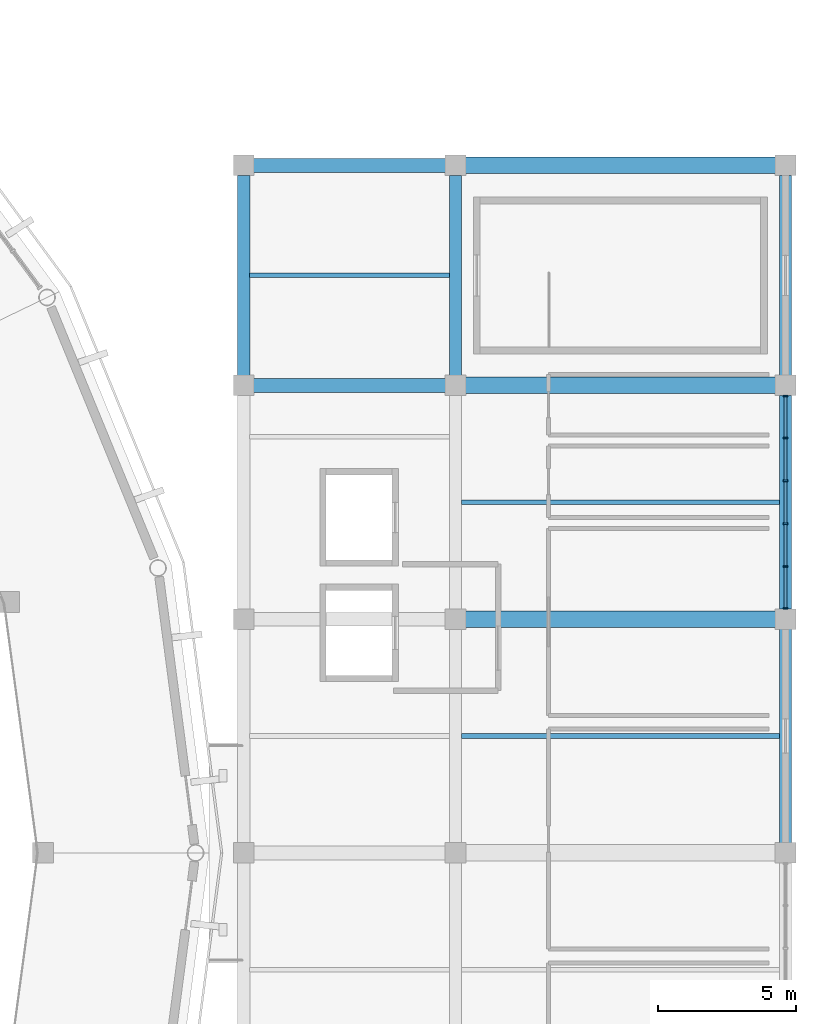
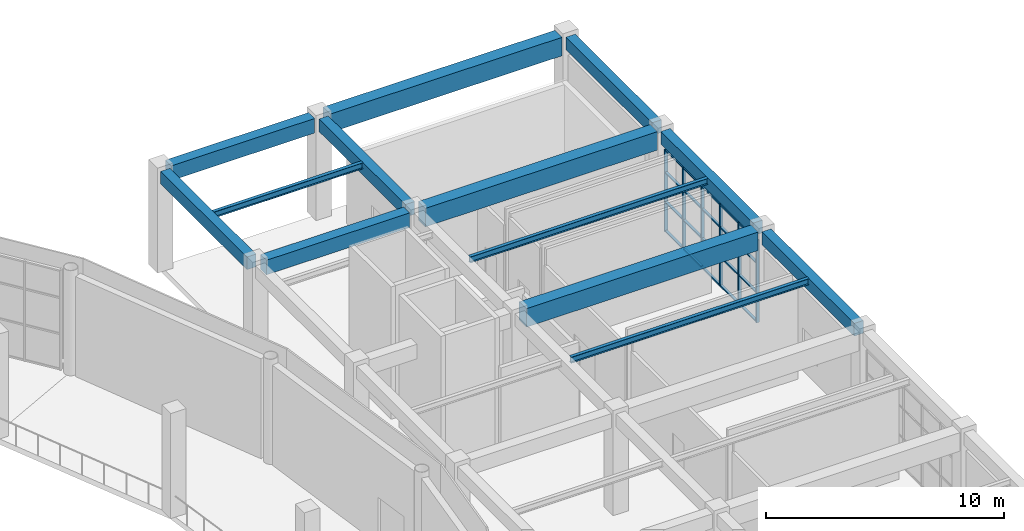
# One storey, part 23 of 40: 26 members, 13 beams, 1 element without a shape of its own.
"""IFC4 building model written with IfcOpenShell, lengths in metres."""

from ifc_helpers import new_model, si_unit, direction, frame, origin, origin_2d, place, context, subcontext, project, spatial, rectangle, i_section, extrude, material, material_profile, profile_set, type_object, element, aggregate, save


model = new_model("IFC4")

# Units and contexts
model_context = context("Model", 3, precision=1e-05, world=origin(), true_north=direction((0.0, 1.0)))
body_context = subcontext(model_context, "Body", "Model", "MODEL_VIEW")
ifc_project = project(units=[si_unit("LENGTHUNIT", "METRE"), si_unit("AREAUNIT", "SQUARE_METRE"), si_unit("VOLUMEUNIT", "CUBIC_METRE"), si_unit("PLANEANGLEUNIT", "RADIAN"), si_unit("MASSUNIT", "GRAM", prefix="KILO")], contexts=[model_context])

# Site, building, storey
site_placement = place(None, origin())
site = spatial("IfcSite", under=ifc_project, at=site_placement, CompositionType="ELEMENT")
building_placement = place(site_placement, origin())
building = spatial("IfcBuilding", under=site, at=building_placement, Name="Cuetzalor Civic Arena", CompositionType="ELEMENT")
storey_placement = place(building_placement, frame((0.0, 0.0, 26.39990234375)))
storey = spatial("IfcBuildingStorey", under=building, at=storey_placement, Name="L05", CompositionType="ELEMENT", Elevation=26.39990234375)

# Beams
ifc_material_1 = material(Name="Concrete C40/50", Category="concrete")
ifc_material_profile_1 = material_profile(ifc_material_1, rectangle(XDim=0.5, YDim=0.75, at=origin_2d()), Name="RC 500x750")
ifc_profile_set_1 = profile_set([ifc_material_profile_1], Name="Concrete C40/50")
beam_type_1 = type_object("IfcBeamType", Name="ConcreteFrameBeam_500x750", PredefinedType="BEAM", material=ifc_profile_set_1)
for number, where, z_axis, x_axis, name in (
    (1, (56.6650390625, 17.0, 4.80517578125), (1.0, 0.0, 0.0), (0.0, 1.0, 0.0), "Frame Girder V4E-L05-X1256"),
    (2, (56.6650390625, 25.0, 4.80517578125), (1.0, 0.0, 0.0), (0.0, 1.0, 0.0), "Frame Girder V4E-L05-X1258"),
):
    element("IfcBeam", number, at=place(storey_placement, frame(where, z_axis=z_axis, x_axis=x_axis)), inside=storey, type_object=beam_type_1, Name=name, PredefinedType="BEAM", context=body_context, shape_type="SweptSolid", body=[
        extrude(rectangle(XDim=0.5, YDim=0.75, at=origin_2d()), origin(), (0.0, 0.0, 1.0), 6.969970703125),
    ])
ifc_material_2 = material(Name="Concrete C40/50", Category="concrete")
ifc_material_profile_2 = material_profile(ifc_material_2, rectangle(XDim=0.60009765625, YDim=0.949951171875, at=origin_2d()), Name="RC 600x950")
ifc_profile_set_2 = profile_set([ifc_material_profile_2], Name="Concrete C40/50")
beam_type_2 = type_object("IfcBeamType", Name="ConcreteFrameBeam_600x950", PredefinedType="BEAM", material=ifc_profile_set_2)
for number, where, z_axis, x_axis, name in (
    (3, (64.364990234375, 8.5, 4.705078125), (1.0, 0.0, 0.0), (0.0, 1.0, 0.0), "Frame Girder V4E-L05-X1255"),
    (4, (64.364990234375, 17.0, 4.705078125), (1.0, 0.0, 0.0), (0.0, 1.0, 0.0), "Frame Girder V4E-L05-X1257"),
    (5, (64.364990234375, 25.0, 4.705078125), (1.0, 0.0, 0.0), (0.0, 1.0, 0.0), "Frame Girder V4E-L05-X1259"),
):
    element("IfcBeam", number, at=place(storey_placement, frame(where, z_axis=z_axis, x_axis=x_axis)), inside=storey, type_object=beam_type_2, Name=name, PredefinedType="BEAM", context=body_context, shape_type="SweptSolid", body=[
        extrude(rectangle(XDim=0.60009765625, YDim=0.949951171875, at=origin_2d()), origin(), (0.0, 0.0, 1.0), 11.27001953125),
    ])
ifc_material_3 = material(Name="Concrete C40/50", Category="concrete")
ifc_material_profile_3 = material_profile(ifc_material_3, rectangle(XDim=0.449951171875, YDim=0.64990234375, at=origin_2d()), Name="RC 450x650")
ifc_profile_set_3 = profile_set([ifc_material_profile_3], Name="Concrete C40/50")
beam_type_3 = type_object("IfcBeamType", Name="ConcreteTieBeam_450x650", PredefinedType="BEAM", material=ifc_profile_set_3)
for number, where, z_axis, x_axis, name in (
    (6, (56.300048828125, 17.364990234375, 4.85498046875), (0.0, 1.0, 0.0), (-1.0, 0.0, 0.0), "Frame Girder V4E-L05-Y1266"),
    (7, (64.0, 17.364990234375, 4.85498046875), (0.0, 1.0, 0.0), (-1.0, 0.0, 0.0), "Frame Girder V4E-L05-Y1273"),
):
    element("IfcBeam", number, at=place(storey_placement, frame(where, z_axis=z_axis, x_axis=x_axis)), inside=storey, type_object=beam_type_3, Name=name, PredefinedType="BEAM", context=body_context, shape_type="SweptSolid", body=[
        extrude(rectangle(XDim=0.449951171875, YDim=0.64990234375, at=origin_2d()), origin(), (0.0, 0.0, 1.0), 7.27001953125),
    ])
for number, where, z_axis, x_axis, name in (
    (8, (76.0, 0.364990234375, 4.85498046875), (0.0, 1.0, 0.0), (-1.0, 0.0, 0.0), "Frame Girder V4E-L05-Y1278"),
    (9, (76.0, 8.864990234375, 4.85498046875), (0.0, 1.0, 0.0), (-1.0, 0.0, 0.0), "Frame Girder V4E-L05-Y1279"),
):
    element("IfcBeam", number, at=place(storey_placement, frame(where, z_axis=z_axis, x_axis=x_axis)), inside=storey, type_object=beam_type_3, Name=name, PredefinedType="BEAM", context=body_context, shape_type="SweptSolid", body=[
        extrude(rectangle(XDim=0.449951171875, YDim=0.64990234375, at=origin_2d()), origin(), (0.0, 0.0, 1.0), 7.77001953125),
    ])
beam_1_placement = place(storey_placement, frame((76.0, 17.364990234375, 4.85498046875), z_axis=(0.0, 1.0, 0.0), x_axis=(-1.0, 0.0, 0.0)))
element("IfcBeam", 10, at=beam_1_placement, inside=storey, type_object=beam_type_3, Name="Frame Girder V4E-L05-Y1280", PredefinedType="BEAM", context=body_context, shape_type="SweptSolid", body=[
    extrude(rectangle(XDim=0.449951171875, YDim=0.64990234375, at=origin_2d()), origin(), (0.0, 0.0, 1.0), 7.27001953125),
])

# Curtain wall, members
ifc_material_4 = material(Name="Anodised dark bronze aluminium and low-E solar glass", Category="aluminium")
curtain_wall_type = type_object("IfcCurtainWallType", Name="UnitisedCW_7800x4200", PredefinedType="USERDEFINED", material=ifc_material_4)
curtain_wall_placement = place(storey_placement, origin())
curtain_wall = element("IfcCurtainWall", 11, at=curtain_wall_placement, inside=storey, type_object=curtain_wall_type, Name="V4E Media Broadcast Curtain Wall L05-156", ObjectType="UNITISED CURTAIN WALL", PredefinedType="USERDEFINED")
ifc_material_5 = material(Name="Anodised dark bronze aluminium", Category="aluminium")
ifc_material_profile_4 = material_profile(ifc_material_5, rectangle(XDim=0.06494140625, YDim=0.14990234375, at=origin_2d()), Name="ALU MULLION 65x150")
ifc_profile_set_4 = profile_set([ifc_material_profile_4], Name="Anodised dark bronze aluminium")
member_type_1 = type_object("IfcMemberType", Name="CurtainWallMullion_60x150", PredefinedType="MULLION", material=ifc_profile_set_4)
member_1_placement = place(storey_placement, frame((76.0, 16.610595703125, 0.0), z_axis=(0.0, 0.0, 1.0), x_axis=(0.0, -1.0, 0.0)))
member_1 = element("IfcMember", 12, at=member_1_placement, type_object=member_type_1, Name="CW-50 mullion 1", PredefinedType="MULLION", context=body_context, shape_type="SweptSolid", body=[
    extrude(rectangle(XDim=0.06494140625, YDim=0.14990234375, at=origin_2d()), origin(), (0.0, 0.0, 1.0), 4.22021484375),
])
member_2_placement = place(storey_placement, frame((76.0, 15.085693359375, 0.0), z_axis=(0.0, 0.0, 1.0), x_axis=(0.0, -1.0, 0.0)))
member_2 = element("IfcMember", 13, at=member_2_placement, type_object=member_type_1, Name="CW-50 mullion 2", PredefinedType="MULLION", context=body_context, shape_type="SweptSolid", body=[
    extrude(rectangle(XDim=0.06494140625, YDim=0.14990234375, at=origin_2d()), origin(), (0.0, 0.0, 1.0), 4.22021484375),
])
member_3_placement = place(storey_placement, frame((76.0, 13.528564453125, 0.0), z_axis=(0.0, 0.0, 1.0), x_axis=(0.0, -1.0, 0.0)))
member_3 = element("IfcMember", 14, at=member_3_placement, type_object=member_type_1, Name="CW-50 mullion 3", PredefinedType="MULLION", context=body_context, shape_type="SweptSolid", body=[
    extrude(rectangle(XDim=0.06494140625, YDim=0.14990234375, at=origin_2d()), origin(), (0.0, 0.0, 1.0), 4.22021484375),
])
member_4_placement = place(storey_placement, frame((76.0, 11.971435546875, 0.0), z_axis=(0.0, 0.0, 1.0), x_axis=(0.0, -1.0, 0.0)))
member_4 = element("IfcMember", 15, at=member_4_placement, type_object=member_type_1, Name="CW-50 mullion 4", PredefinedType="MULLION", context=body_context, shape_type="SweptSolid", body=[
    extrude(rectangle(XDim=0.06494140625, YDim=0.14990234375, at=origin_2d()), origin(), (0.0, 0.0, 1.0), 4.22021484375),
])
member_5_placement = place(storey_placement, frame((76.0, 10.414306640625, 0.0), z_axis=(0.0, 0.0, 1.0), x_axis=(0.0, -1.0, 0.0)))
member_5 = element("IfcMember", 16, at=member_5_placement, type_object=member_type_1, Name="CW-50 mullion 5", PredefinedType="MULLION", context=body_context, shape_type="SweptSolid", body=[
    extrude(rectangle(XDim=0.06494140625, YDim=0.14990234375, at=origin_2d()), origin(), (0.0, 0.0, 1.0), 4.22021484375),
])
member_6_placement = place(storey_placement, frame((76.0, 8.889404296875, 0.0), z_axis=(0.0, 0.0, 1.0), x_axis=(0.0, -1.0, 0.0)))
member_6 = element("IfcMember", 17, at=member_6_placement, type_object=member_type_1, Name="CW-50 mullion 6", PredefinedType="MULLION", context=body_context, shape_type="SweptSolid", body=[
    extrude(rectangle(XDim=0.06494140625, YDim=0.14990234375, at=origin_2d()), origin(), (0.0, 0.0, 1.0), 4.22021484375),
])
ifc_material_6 = material(Name="Anodised dark bronze aluminium", Category="aluminium")
ifc_material_profile_5 = material_profile(ifc_material_6, rectangle(XDim=0.1201171875, YDim=0.06494140625, at=origin_2d()), Name="ALU TRANSOM 65x120")
ifc_profile_set_5 = profile_set([ifc_material_profile_5], Name="Anodised dark bronze aluminium")
member_type_2 = type_object("IfcMemberType", Name="CurtainWallTransom_60x120", PredefinedType="USERDEFINED", material=ifc_profile_set_5)
member_7_placement = place(storey_placement, frame((76.0, 16.577880859375, 0.03271484375), z_axis=(0.0, -1.0, 0.0), x_axis=(1.0, 0.0, 0.0)))
member_7 = element("IfcMember", 18, at=member_7_placement, type_object=member_type_2, Name="CW-50 transom 1.1", ObjectType="TRANSOM", PredefinedType="USERDEFINED", context=body_context, shape_type="SweptSolid", body=[
    extrude(rectangle(XDim=0.1201171875, YDim=0.06494140625, at=origin_2d()), origin(), (0.0, 0.0, 1.0), 1.45947265625),
])
member_8_placement = place(storey_placement, frame((76.0, 16.577880859375, 1.51904296875), z_axis=(0.0, -1.0, 0.0), x_axis=(1.0, 0.0, 0.0)))
member_8 = element("IfcMember", 19, at=member_8_placement, type_object=member_type_2, Name="CW-50 transom 1.2", ObjectType="TRANSOM", PredefinedType="USERDEFINED", context=body_context, shape_type="SweptSolid", body=[
    extrude(rectangle(XDim=0.1201171875, YDim=0.06494140625, at=origin_2d()), origin(), (0.0, 0.0, 1.0), 1.45947265625),
])
member_9_placement = place(storey_placement, frame((76.0, 16.577880859375, 3.0380859375), z_axis=(0.0, -1.0, 0.0), x_axis=(1.0, 0.0, 0.0)))
member_9 = element("IfcMember", 20, at=member_9_placement, type_object=member_type_2, Name="CW-50 transom 1.3", ObjectType="TRANSOM", PredefinedType="USERDEFINED", context=body_context, shape_type="SweptSolid", body=[
    extrude(rectangle(XDim=0.1201171875, YDim=0.06494140625, at=origin_2d()), origin(), (0.0, 0.0, 1.0), 1.45947265625),
])
member_10_placement = place(storey_placement, frame((76.0, 16.577880859375, 4.1875), z_axis=(0.0, -1.0, 0.0), x_axis=(1.0, 0.0, 0.0)))
member_10 = element("IfcMember", 21, at=member_10_placement, type_object=member_type_2, Name="CW-50 transom 1.4", ObjectType="TRANSOM", PredefinedType="USERDEFINED", context=body_context, shape_type="SweptSolid", body=[
    extrude(rectangle(XDim=0.1201171875, YDim=0.06494140625, at=origin_2d()), origin(), (0.0, 0.0, 1.0), 1.45947265625),
])
member_11_placement = place(storey_placement, frame((76.0, 15.05322265625, 0.03271484375), z_axis=(0.0, -1.0, 0.0), x_axis=(1.0, 0.0, 0.0)))
member_11 = element("IfcMember", 22, at=member_11_placement, type_object=member_type_2, Name="CW-50 transom 2.1", ObjectType="TRANSOM", PredefinedType="USERDEFINED", context=body_context, shape_type="SweptSolid", body=[
    extrude(rectangle(XDim=0.1201171875, YDim=0.06494140625, at=origin_2d()), origin(), (0.0, 0.0, 1.0), 1.4921875),
])
member_12_placement = place(storey_placement, frame((76.0, 15.05322265625, 1.51904296875), z_axis=(0.0, -1.0, 0.0), x_axis=(1.0, 0.0, 0.0)))
member_12 = element("IfcMember", 23, at=member_12_placement, type_object=member_type_2, Name="CW-50 transom 2.2", ObjectType="TRANSOM", PredefinedType="USERDEFINED", context=body_context, shape_type="SweptSolid", body=[
    extrude(rectangle(XDim=0.1201171875, YDim=0.06494140625, at=origin_2d()), origin(), (0.0, 0.0, 1.0), 1.4921875),
])
member_13_placement = place(storey_placement, frame((76.0, 15.05322265625, 3.0380859375), z_axis=(0.0, -1.0, 0.0), x_axis=(1.0, 0.0, 0.0)))
member_13 = element("IfcMember", 24, at=member_13_placement, type_object=member_type_2, Name="CW-50 transom 2.3", ObjectType="TRANSOM", PredefinedType="USERDEFINED", context=body_context, shape_type="SweptSolid", body=[
    extrude(rectangle(XDim=0.1201171875, YDim=0.06494140625, at=origin_2d()), origin(), (0.0, 0.0, 1.0), 1.4921875),
])
member_14_placement = place(storey_placement, frame((76.0, 15.05322265625, 4.1875), z_axis=(0.0, -1.0, 0.0), x_axis=(1.0, 0.0, 0.0)))
member_14 = element("IfcMember", 25, at=member_14_placement, type_object=member_type_2, Name="CW-50 transom 2.4", ObjectType="TRANSOM", PredefinedType="USERDEFINED", context=body_context, shape_type="SweptSolid", body=[
    extrude(rectangle(XDim=0.1201171875, YDim=0.06494140625, at=origin_2d()), origin(), (0.0, 0.0, 1.0), 1.4921875),
])
member_15_placement = place(storey_placement, frame((76.0, 13.49609375, 0.03271484375), z_axis=(0.0, -1.0, 0.0), x_axis=(1.0, 0.0, 0.0)))
member_15 = element("IfcMember", 26, at=member_15_placement, type_object=member_type_2, Name="CW-50 transom 3.1", ObjectType="TRANSOM", PredefinedType="USERDEFINED", context=body_context, shape_type="SweptSolid", body=[
    extrude(rectangle(XDim=0.1201171875, YDim=0.06494140625, at=origin_2d()), origin(), (0.0, 0.0, 1.0), 1.4921875),
])
member_16_placement = place(storey_placement, frame((76.0, 13.49609375, 1.51904296875), z_axis=(0.0, -1.0, 0.0), x_axis=(1.0, 0.0, 0.0)))
member_16 = element("IfcMember", 27, at=member_16_placement, type_object=member_type_2, Name="CW-50 transom 3.2", ObjectType="TRANSOM", PredefinedType="USERDEFINED", context=body_context, shape_type="SweptSolid", body=[
    extrude(rectangle(XDim=0.1201171875, YDim=0.06494140625, at=origin_2d()), origin(), (0.0, 0.0, 1.0), 1.4921875),
])
member_17_placement = place(storey_placement, frame((76.0, 13.49609375, 3.0380859375), z_axis=(0.0, -1.0, 0.0), x_axis=(1.0, 0.0, 0.0)))
member_17 = element("IfcMember", 28, at=member_17_placement, type_object=member_type_2, Name="CW-50 transom 3.3", ObjectType="TRANSOM", PredefinedType="USERDEFINED", context=body_context, shape_type="SweptSolid", body=[
    extrude(rectangle(XDim=0.1201171875, YDim=0.06494140625, at=origin_2d()), origin(), (0.0, 0.0, 1.0), 1.4921875),
])
member_18_placement = place(storey_placement, frame((76.0, 13.49609375, 4.1875), z_axis=(0.0, -1.0, 0.0), x_axis=(1.0, 0.0, 0.0)))
member_18 = element("IfcMember", 29, at=member_18_placement, type_object=member_type_2, Name="CW-50 transom 3.4", ObjectType="TRANSOM", PredefinedType="USERDEFINED", context=body_context, shape_type="SweptSolid", body=[
    extrude(rectangle(XDim=0.1201171875, YDim=0.06494140625, at=origin_2d()), origin(), (0.0, 0.0, 1.0), 1.4921875),
])
member_19_placement = place(storey_placement, frame((76.0, 11.93896484375, 0.03271484375), z_axis=(0.0, -1.0, 0.0), x_axis=(1.0, 0.0, 0.0)))
member_19 = element("IfcMember", 30, at=member_19_placement, type_object=member_type_2, Name="CW-50 transom 4.1", ObjectType="TRANSOM", PredefinedType="USERDEFINED", context=body_context, shape_type="SweptSolid", body=[
    extrude(rectangle(XDim=0.1201171875, YDim=0.06494140625, at=origin_2d()), origin(), (0.0, 0.0, 1.0), 1.4921875),
])
member_20_placement = place(storey_placement, frame((76.0, 11.93896484375, 1.51904296875), z_axis=(0.0, -1.0, 0.0), x_axis=(1.0, 0.0, 0.0)))
member_20 = element("IfcMember", 31, at=member_20_placement, type_object=member_type_2, Name="CW-50 transom 4.2", ObjectType="TRANSOM", PredefinedType="USERDEFINED", context=body_context, shape_type="SweptSolid", body=[
    extrude(rectangle(XDim=0.1201171875, YDim=0.06494140625, at=origin_2d()), origin(), (0.0, 0.0, 1.0), 1.4921875),
])
member_21_placement = place(storey_placement, frame((76.0, 11.93896484375, 3.0380859375), z_axis=(0.0, -1.0, 0.0), x_axis=(1.0, 0.0, 0.0)))
member_21 = element("IfcMember", 32, at=member_21_placement, type_object=member_type_2, Name="CW-50 transom 4.3", ObjectType="TRANSOM", PredefinedType="USERDEFINED", context=body_context, shape_type="SweptSolid", body=[
    extrude(rectangle(XDim=0.1201171875, YDim=0.06494140625, at=origin_2d()), origin(), (0.0, 0.0, 1.0), 1.4921875),
])
member_22_placement = place(storey_placement, frame((76.0, 11.93896484375, 4.1875), z_axis=(0.0, -1.0, 0.0), x_axis=(1.0, 0.0, 0.0)))
member_22 = element("IfcMember", 33, at=member_22_placement, type_object=member_type_2, Name="CW-50 transom 4.4", ObjectType="TRANSOM", PredefinedType="USERDEFINED", context=body_context, shape_type="SweptSolid", body=[
    extrude(rectangle(XDim=0.1201171875, YDim=0.06494140625, at=origin_2d()), origin(), (0.0, 0.0, 1.0), 1.4921875),
])
member_23_placement = place(storey_placement, frame((76.0, 10.381591796875, 0.03271484375), z_axis=(0.0, -1.0, 0.0), x_axis=(1.0, 0.0, 0.0)))
member_23 = element("IfcMember", 34, at=member_23_placement, type_object=member_type_2, Name="CW-50 transom 5.1", ObjectType="TRANSOM", PredefinedType="USERDEFINED", context=body_context, shape_type="SweptSolid", body=[
    extrude(rectangle(XDim=0.1201171875, YDim=0.06494140625, at=origin_2d()), origin(), (0.0, 0.0, 1.0), 1.45947265625),
])
member_24_placement = place(storey_placement, frame((76.0, 10.381591796875, 1.51904296875), z_axis=(0.0, -1.0, 0.0), x_axis=(1.0, 0.0, 0.0)))
member_24 = element("IfcMember", 35, at=member_24_placement, type_object=member_type_2, Name="CW-50 transom 5.2", ObjectType="TRANSOM", PredefinedType="USERDEFINED", context=body_context, shape_type="SweptSolid", body=[
    extrude(rectangle(XDim=0.1201171875, YDim=0.06494140625, at=origin_2d()), origin(), (0.0, 0.0, 1.0), 1.45947265625),
])
member_25_placement = place(storey_placement, frame((76.0, 10.381591796875, 3.0380859375), z_axis=(0.0, -1.0, 0.0), x_axis=(1.0, 0.0, 0.0)))
member_25 = element("IfcMember", 36, at=member_25_placement, type_object=member_type_2, Name="CW-50 transom 5.3", ObjectType="TRANSOM", PredefinedType="USERDEFINED", context=body_context, shape_type="SweptSolid", body=[
    extrude(rectangle(XDim=0.1201171875, YDim=0.06494140625, at=origin_2d()), origin(), (0.0, 0.0, 1.0), 1.45947265625),
])
member_26_placement = place(storey_placement, frame((76.0, 10.381591796875, 4.1875), z_axis=(0.0, -1.0, 0.0), x_axis=(1.0, 0.0, 0.0)))
member_26 = element("IfcMember", 37, at=member_26_placement, type_object=member_type_2, Name="CW-50 transom 5.4", ObjectType="TRANSOM", PredefinedType="USERDEFINED", context=body_context, shape_type="SweptSolid", body=[
    extrude(rectangle(XDim=0.1201171875, YDim=0.06494140625, at=origin_2d()), origin(), (0.0, 0.0, 1.0), 1.45947265625),
])
aggregate(curtain_wall, [member_1, member_2, member_3, member_4, member_5, member_6, member_7, member_8, member_9, member_10, member_11, member_12, member_13, member_14, member_15, member_16, member_17, member_18, member_19, member_20, member_21, member_22, member_23, member_24, member_25, member_26])

# Beams
ifc_material_7 = material(Name="Steel S355", Category="steel")
ifc_material_profile_6 = material_profile(ifc_material_7, i_section(OverallWidth=0.166015625, OverallDepth=0.31298828125, WebThickness=0.006591796875, FlangeThickness=0.01123046875, at=origin_2d()), Name="W310x45")
ifc_profile_set_6 = profile_set([ifc_material_profile_6], Name="Steel S355")
beam_type_4 = type_object("IfcBeamType", Name="SecondaryRoofJoist_W310", PredefinedType="JOIST", material=ifc_profile_set_6)
beam_2_placement = place(storey_placement, frame((56.51708984375, 21.0, 5.023681640625), z_axis=(1.0, 0.0, 0.0), x_axis=(0.0, 1.0, 0.0)))
element("IfcBeam", 38, at=beam_2_placement, inside=storey, type_object=beam_type_4, Name="Secondary Floor Joist V4E-L05-0394", PredefinedType="JOIST", context=body_context, shape_type="SweptSolid", body=[
    extrude(i_section(OverallWidth=0.166015625, OverallDepth=0.31298828125, WebThickness=0.006591796875, FlangeThickness=0.01123046875, at=origin_2d()), origin(), (0.0, 0.0, 1.0), 7.265869140625),
])
for number, where, z_axis, x_axis, name in (
    (39, (64.217041015625, 4.25, 5.023681640625), (1.0, 0.0, 0.0), (0.0, 1.0, 0.0), "Secondary Floor Joist V4E-L05-0398"),
    (40, (64.217041015625, 12.75, 5.023681640625), (1.0, 0.0, 0.0), (0.0, 1.0, 0.0), "Secondary Floor Joist V4E-L05-0399"),
):
    element("IfcBeam", number, at=place(storey_placement, frame(where, z_axis=z_axis, x_axis=x_axis)), inside=storey, type_object=beam_type_4, Name=name, PredefinedType="JOIST", context=body_context, shape_type="SweptSolid", body=[
        extrude(i_section(OverallWidth=0.166015625, OverallDepth=0.31298828125, WebThickness=0.006591796875, FlangeThickness=0.01123046875, at=origin_2d()), origin(), (0.0, 0.0, 1.0), 11.56591796875),
    ])

save(model, "model.ifc")
